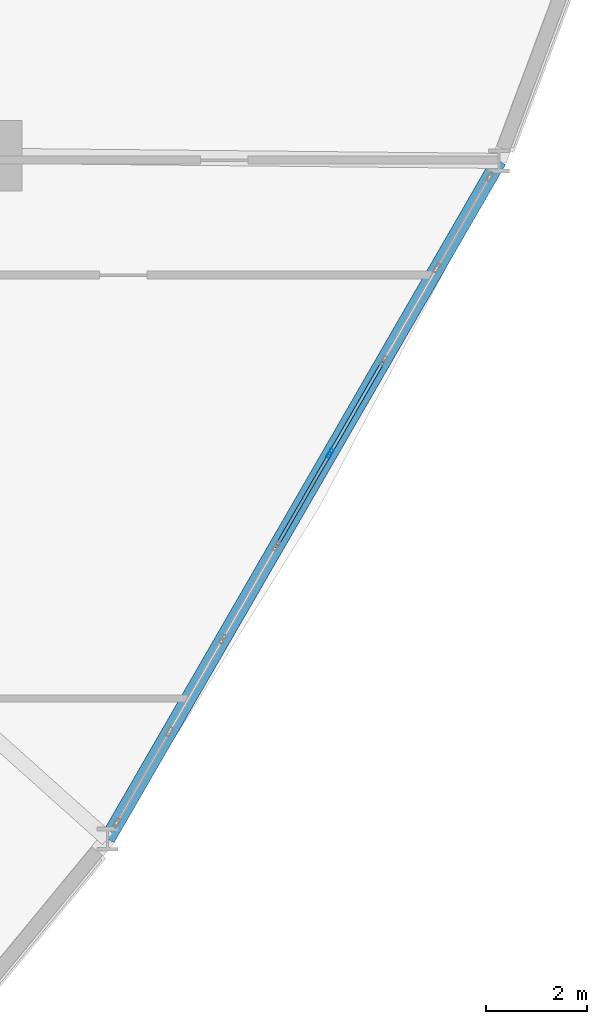
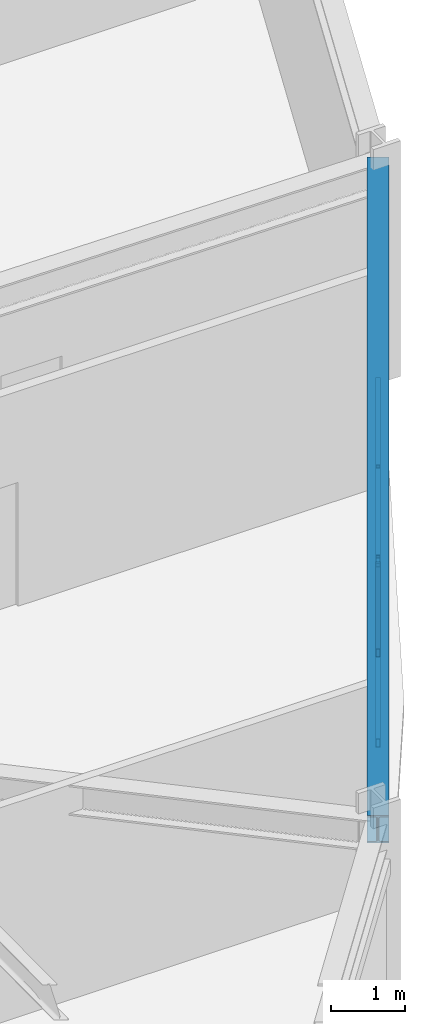
# One storey, part 8 of 22: 6 members, 1 beam, 1 element without a shape of its own.
"""IFC4 building model written with IfcOpenShell, lengths in metres."""

from ifc_helpers import new_model, si_unit, derived_unit, direction, frame, origin, origin_2d, place, context, subcontext, project, spatial, hollow_rectangle, i_section, extrude, source, transform, mapped, material, layer, layer_set, material_profile, profile_set, type_object, element, aggregate, save


model = new_model("IFC4")

# Units and contexts
model_context = context("Model", 3, precision=1e-05, world=origin(), true_north=direction((0.0, 1.0)))
body_context = subcontext(model_context, "Body", "Model", "MODEL_VIEW")
ifc_project = project(units=[si_unit("LENGTHUNIT", "METRE"), si_unit("AREAUNIT", "SQUARE_METRE"), si_unit("VOLUMEUNIT", "CUBIC_METRE"), si_unit("PLANEANGLEUNIT", "RADIAN"), si_unit("MASSUNIT", "GRAM", prefix="KILO"), derived_unit("THERMALTRANSMITTANCEUNIT", [(si_unit("POWERUNIT", "WATT"), 1), (si_unit("LENGTHUNIT", "METRE"), -2), (si_unit("THERMODYNAMICTEMPERATUREUNIT", "KELVIN"), -1)])], contexts=[model_context])

# Site, building, storey
site_placement = place(None, origin())
site = spatial("IfcSite", under=ifc_project, at=site_placement, CompositionType="ELEMENT")
building_placement = place(site_placement, origin())
building = spatial("IfcBuilding", under=site, at=building_placement, Name="Korsvarv Bourse and Concert Hall", CompositionType="ELEMENT")
storey_placement = place(building_placement, frame((0.0, 0.0, 55.199951171875)))
storey = spatial("IfcBuildingStorey", under=building, at=storey_placement, Name="L13", CompositionType="ELEMENT", Elevation=55.199951171875)

# Beam
ifc_material_1 = material(Name="Steel S355", Category="steel")
ifc_material_profile_1 = material_profile(ifc_material_1, i_section(OverallWidth=0.300048828125, OverallDepth=0.449951171875, WebThickness=0.013916015625, FlangeThickness=0.02587890625, FilletRadius=0.02099609375, at=origin_2d()), Name="HEB 450")
ifc_profile_set_1 = profile_set([ifc_material_profile_1], Name="Steel S355")
beam_type = type_object("IfcBeamType", Name="BM-HEB450", PredefinedType="SPANDREL", material=ifc_profile_set_1)
shared_shape_1 = source(origin(), body_context, "Body", "SweptSolid", [
    extrude(i_section(OverallWidth=0.300048828125, OverallDepth=0.449951171875, WebThickness=0.013916015625, FlangeThickness=0.02587890625, FilletRadius=0.02099609375, at=origin_2d()), origin(), (0.0, 0.0, 1.0), 15.569580078125),
])
beam_placement = place(storey_placement, frame((50.198486328125, 18.8134765625, 3.3349609375), z_axis=(0.499994378262, 0.866028649472, 0.0), x_axis=(-0.866028649472, 0.499994378262, 0.0)))
element("IfcBeam", 1, at=beam_placement, inside=storey, type_object=beam_type, Name="L13 beam B-08", PredefinedType="SPANDREL", context=body_context, shape_type="MappedRepresentation", body=[
    mapped(shared_shape_1, transform((0.0, 0.0, 0.0), scale=1.0)),
])

# Curtain wall, members
ifc_material_2 = material(Name="Anodised aluminium and triple low-E glazing", Category="glass")
ifc_layer = layer(ifc_material_2, 0.219970703125)
ifc_layer_set = layer_set([ifc_layer], Name="Anodised aluminium and triple low-E glazing")
curtain_wall_type = type_object("IfcCurtainWallType", Name="CW-SYS-1", PredefinedType="NOTDEFINED", material=ifc_layer_set)
curtain_wall_placement = place(storey_placement, origin())
curtain_wall = element("IfcCurtainWall", 2, at=curtain_wall_placement, inside=storey, type_object=curtain_wall_type, Name="L13 CW1 curtain wall CW-L13-F11", PredefinedType="NOTDEFINED")
ifc_material_3 = material(Name="Extruded aluminium EN AW-6063 T66", Category="aluminium")
ifc_material_profile_2 = material_profile(ifc_material_3, hollow_rectangle(XDim=0.06494140625, YDim=0.139892578125, WallThickness=0.00390625, at=origin_2d()), Name="ALU-T 65x140")
ifc_profile_set_2 = profile_set([ifc_material_profile_2], Name="Extruded aluminium EN AW-6063 T66")
member_type_1 = type_object("IfcMemberType", Name="CWT-140", PredefinedType="USERDEFINED", material=ifc_profile_set_2)
shared_shape_2 = source(origin(), body_context, "Body", "SweptSolid", [
    extrude(hollow_rectangle(XDim=0.06494140625, YDim=0.139892578125, WallThickness=0.00390625, at=origin_2d()), origin(), (0.0, 0.0, 1.0), 2.0595703125),
])
member_1_placement = place(storey_placement, frame((54.640625, 26.507568359375, 0.032470703125), z_axis=(0.499989236795, 0.866031617834, 0.0), x_axis=(-0.866031617834, 0.499989236795, 0.0)))
member_1 = element("IfcMember", 3, at=member_1_placement, type_object=member_type_1, Name="CW1 transom 5.1", ObjectType="TRANSOM", PredefinedType="USERDEFINED", context=body_context, shape_type="MappedRepresentation", body=[
    mapped(shared_shape_2, transform((0.0, 0.0, 0.0), scale=1.0)),
])
member_2_placement = place(storey_placement, frame((54.640625, 26.507568359375, 3.07763671875), z_axis=(0.499989236795, 0.866031617834, 0.0), x_axis=(-0.866031617834, 0.499989236795, 0.0)))
member_2 = element("IfcMember", 4, at=member_2_placement, type_object=member_type_1, Name="CW1 transom 5.2", ObjectType="TRANSOM", PredefinedType="USERDEFINED", context=body_context, shape_type="MappedRepresentation", body=[
    mapped(shared_shape_2, transform((0.0, 0.0, 0.0), scale=1.0)),
])
shared_shape_3 = source(origin(), body_context, "Body", "SweptSolid", [
    extrude(hollow_rectangle(XDim=0.06494140625, YDim=0.139892578125, WallThickness=0.00390625, at=origin_2d()), origin(), (0.0, 0.0, 1.0), 2.059326171875),
])
member_3_placement = place(storey_placement, frame((53.575927734375, 24.66357421875, 0.032470703125), z_axis=(0.500040568494, 0.866001980287, 0.0), x_axis=(-0.866001980287, 0.500040568494, 0.0)))
member_3 = element("IfcMember", 5, at=member_3_placement, type_object=member_type_1, Name="CW1 transom 4.1", ObjectType="TRANSOM", PredefinedType="USERDEFINED", context=body_context, shape_type="MappedRepresentation", body=[
    mapped(shared_shape_3, transform((0.0, 0.0, 0.0), scale=1.0)),
])
member_4_placement = place(storey_placement, frame((53.575927734375, 24.66357421875, 3.07763671875), z_axis=(0.500040568494, 0.866001980287, 0.0), x_axis=(-0.866001980287, 0.500040568494, 0.0)))
member_4 = element("IfcMember", 6, at=member_4_placement, type_object=member_type_1, Name="CW1 transom 4.2", ObjectType="TRANSOM", PredefinedType="USERDEFINED", context=body_context, shape_type="MappedRepresentation", body=[
    mapped(shared_shape_3, transform((0.0, 0.0, 0.0), scale=1.0)),
])
ifc_material_profile_3 = material_profile(ifc_material_3, hollow_rectangle(XDim=0.070068359375, YDim=0.18994140625, WallThickness=0.0048828125, at=origin_2d()), Name="ALU-M 70x190")
ifc_profile_set_3 = profile_set([ifc_material_profile_3], Name="Extruded aluminium EN AW-6063 T66")
member_type_2 = type_object("IfcMemberType", Name="CWM-190", PredefinedType="MULLION", material=ifc_profile_set_3)
shared_shape_4 = source(origin(), body_context, "Body", "SweptSolid", [
    extrude(hollow_rectangle(XDim=0.070068359375, YDim=0.18994140625, WallThickness=0.0048828125, at=origin_2d()), origin(), (0.0, 0.0, 1.0), 3.110107421875),
])
member_5_placement = place(storey_placement, frame((54.623291015625, 26.477294921875, 0.0), z_axis=(0.0, 0.0, 1.0), x_axis=(-0.866025499647, 0.499999833962, 0.0)))
member_5 = element("IfcMember", 7, at=member_5_placement, type_object=member_type_2, Name="CW1 mullion 5", PredefinedType="MULLION", context=body_context, shape_type="MappedRepresentation", body=[
    mapped(shared_shape_4, transform((0.0, 0.0, 0.0), scale=1.0)),
])
ifc_material_profile_4 = material_profile(ifc_material_3, hollow_rectangle(XDim=0.06494140625, YDim=0.1650390625, WallThickness=0.0048828125, at=origin_2d()), Name="ALU-M 65x165")
ifc_profile_set_4 = profile_set([ifc_material_profile_4], Name="Extruded aluminium EN AW-6063 T66")
member_type_3 = type_object("IfcMemberType", Name="CWM-165", PredefinedType="MULLION", material=ifc_profile_set_4)
shared_shape_5 = source(origin(), body_context, "Body", "SweptSolid", [
    extrude(hollow_rectangle(XDim=0.06494140625, YDim=0.1650390625, WallThickness=0.0048828125, at=origin_2d()), origin(), (0.0, 0.0, 1.0), 3.62255859375),
])
member_6_placement = place(storey_placement, frame((54.605712890625, 26.447021484375, 0.06494140625), z_axis=(-0.284270663429, -0.492317969737, 0.822686578587), x_axis=(0.866001980287, -0.500040568494, 0.0)))
member_6 = element("IfcMember", 8, at=member_6_placement, type_object=member_type_3, Name="CW1 diagonal mullion 4", PredefinedType="MULLION", context=body_context, shape_type="MappedRepresentation", body=[
    mapped(shared_shape_5, transform((0.0, 0.0, 0.0), scale=1.0)),
])
aggregate(curtain_wall, [member_5, member_3, member_4, member_6, member_1, member_2])

save(model, "model.ifc")
